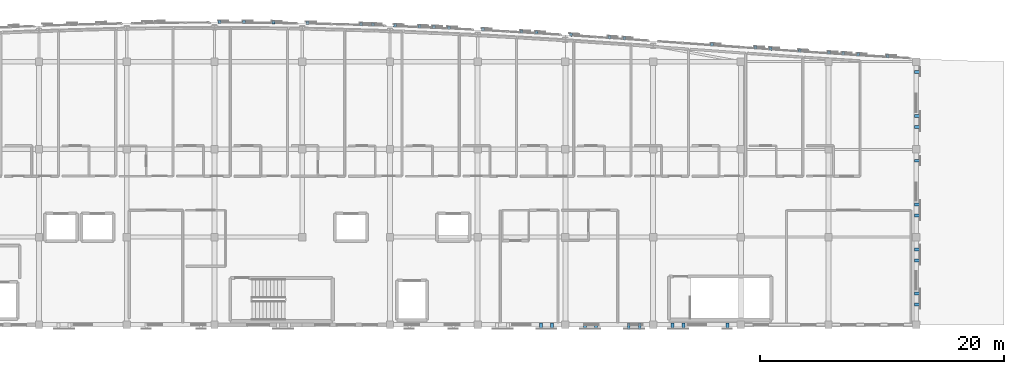
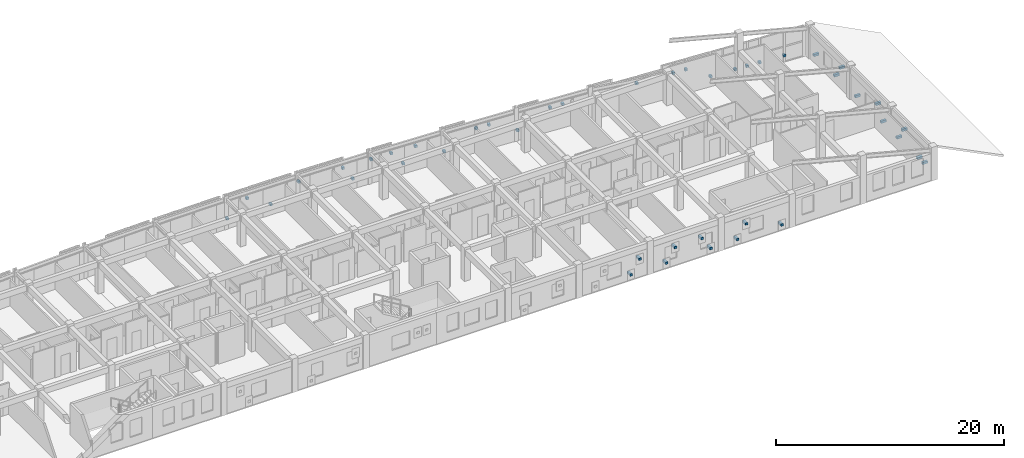
# One storey, part 43 of 45: 43 discrete accessories.
"""IFC4 building model written with IfcOpenShell, lengths in metres."""

from ifc_helpers import new_model, si_unit, direction, frame, origin, origin_2d, place, context, subcontext, project, spatial, rectangle, extrude, material, type_object, element, save


model = new_model("IFC4")

# Units and contexts
model_context = context("Model", 3, precision=1e-05, world=origin(), true_north=direction((0.0, 1.0)))
body_context = subcontext(model_context, "Body", "Model", "MODEL_VIEW")
ifc_project = project(units=[si_unit("LENGTHUNIT", "METRE"), si_unit("AREAUNIT", "SQUARE_METRE"), si_unit("VOLUMEUNIT", "CUBIC_METRE"), si_unit("PLANEANGLEUNIT", "RADIAN"), si_unit("MASSUNIT", "GRAM", prefix="KILO")], contexts=[model_context])

# Site, building, storey
site_placement = place(None, origin())
site = spatial("IfcSite", under=ifc_project, at=site_placement, CompositionType="ELEMENT")
building_placement = place(site_placement, origin())
building = spatial("IfcBuilding", under=site, at=building_placement, Name="Carrowvane Square Congress Hotel", CompositionType="ELEMENT")
storey_placement = place(building_placement, frame((0.0, 0.0, 33.60009765625)))
storey = spatial("IfcBuildingStorey", under=building, at=storey_placement, Name="L08", CompositionType="ELEMENT", Elevation=33.60009765625)

# Discrete accessories
ifc_material = material(Name="Stainless steel 316", Category="steel")
discrete_accessory_type = type_object("IfcDiscreteAccessoryType", Name="ACC-BRK-SS", PredefinedType="BRACKET", material=ifc_material)
for number, where, z_axis, x_axis, name in (
    (1, (98.4150390625, 116.6787109375, 0.56005859375), (0.0, 0.0, 1.0), (0.999994654955, -0.003269565853, 0.0), "Pixel screen mullion bracket 788"),
    (2, (100.435791015625, 116.671875, 2.02978515625), (0.0, 0.0, 1.0), (0.999952150705, -0.009782448565, 0.0), "Pixel screen mullion bracket 789"),
    (3, (102.831298828125, 116.648193359375, 0.56005859375), (0.0, 0.0, 1.0), (0.999868508772, -0.016216200758, 0.0), "Pixel screen mullion bracket 790"),
    (4, (105.629150390625, 116.60009765625, 2.02978515625), (0.0, 0.0, 1.0), (0.999746418061, -0.022518871507, 0.0), "Pixel screen mullion bracket 791"),
    (5, (110.037841796875, 116.485595703125, 2.02978515625), (0.0, 0.0, 1.0), (0.999403768784, -0.034526901703, 0.0), "Pixel screen mullion bracket 792"),
    (6, (111.017578125, 116.451904296875, 0.56005859375), (0.0, 0.0, 1.0), (0.999403768784, -0.034526901703, 0.0), "Pixel screen mullion bracket 793"),
    (7, (112.83203125, 116.38671875, 2.02978515625), (0.0, 0.0, 1.0), (0.999194294234, -0.040134304148, 0.0), "Pixel screen mullion bracket 794"),
    (8, (114.838623046875, 116.305908203125, 2.02978515625), (0.0, 0.0, 1.0), (0.998968255262, -0.045413929349, 0.0), "Pixel screen mullion bracket 795"),
    (9, (116.003662109375, 116.2529296875, 0.56005859375), (0.0, 0.0, 1.0), (0.998968255262, -0.045413929349, 0.0), "Pixel screen mullion bracket 796"),
    (10, (117.23388671875, 116.197021484375, 2.02978515625), (0.0, 0.0, 1.0), (0.998733066647, -0.050321581706, 0.0), "Pixel screen mullion bracket 797"),
    (11, (120.043701171875, 116.05322265625, 0.56005859375), (0.0, 0.0, 1.0), (0.998496552462, -0.054814548441, 0.0), "Pixel screen mullion bracket 798"),
    (12, (123.204833984375, 115.875, 2.02978515625), (0.0, 0.0, 1.0), (0.998266695506, -0.05885239709, 0.0), "Pixel screen mullion bracket 799"),
    (13, (124.43994140625, 115.802001953125, 2.02978515625), (0.0, 0.0, 1.0), (0.998051413269, -0.062396926785, 0.0), "Pixel screen mullion bracket 800"),
    (14, (127.24365234375, 115.62548828125, 0.56005859375), (0.0, 0.0, 1.0), (0.99785825325, -0.065413350476, 0.0), "Pixel screen mullion bracket 801"),
    (15, (130.405517578125, 115.4150390625, 2.02978515625), (0.0, 0.0, 1.0), (0.9976944394, -0.067866085713, 0.0), "Pixel screen mullion bracket 802"),
    (16, (131.635498046875, 115.331298828125, 2.02978515625), (0.0, 0.0, 1.0), (0.997566258056, -0.069724893606, 0.0), "Pixel screen mullion bracket 803"),
    (17, (138.840576171875, 114.8203125, 2.02978515625), (0.0, 0.0, 1.0), (0.997446326449, -0.071420066188, 0.0), "Pixel screen mullion bracket 804"),
    (18, (142.40576171875, 114.566162109375, 2.02978515625), (0.0, 0.0, 1.0), (0.997505756275, -0.070585169822, 0.0), "Pixel screen mullion bracket 805"),
    (19, (143.640380859375, 114.478759765625, 2.02978515625), (0.0, 0.0, 1.0), (0.99761759323, -0.068986503591, 0.0), "Pixel screen mullion bracket 806"),
    (20, (146.03515625, 114.313232421875, 0.56005859375), (0.0, 0.0, 1.0), (0.997781458784, -0.066574473385, 0.0), "Pixel screen mullion bracket 807"),
    (21, (148.43994140625, 114.153076171875, 0.56005859375), (0.0, 0.0, 1.0), (0.997996022269, -0.063276690295, 0.0), "Pixel screen mullion bracket 808"),
    (22, (149.60498046875, 114.0791015625, 0.56005859375), (0.0, 0.0, 1.0), (0.997996022269, -0.063276690295, 0.0), "Pixel screen mullion bracket 809"),
    (23, (150.834716796875, 114.001220703125, 0.56005859375), (0.0, 0.0, 1.0), (0.998258866948, -0.05898503675, 0.0), "Pixel screen mullion bracket 810"),
    (24, (153.2392578125, 113.859375, 0.56005859375), (0.0, 0.0, 1.0), (0.998566941363, -0.053516947007, 0.0), "Pixel screen mullion bracket 811"),
):
    element("IfcDiscreteAccessory", number, at=place(storey_placement, frame(where, z_axis=z_axis, x_axis=x_axis)), inside=storey, type_object=discrete_accessory_type, Name=name, PredefinedType="BRACKET", context=body_context, shape_type="SweptSolid", body=[
        extrude(rectangle(XDim=0.239990234375, YDim=0.280029296875, at=origin_2d()), origin(), (0.0, 0.0, 1.0), 0.239990234375),
    ])
for number, where, z_axis, x_axis, name in (
    (25, (155.72509765625, 112.552734375, 0.56005859375), (0.0, 0.0, 1.0), (0.0, -1.0, 0.0), "V5 pixel screen bracket 812"),
    (26, (155.72509765625, 108.95263671875, 0.56005859375), (0.0, 0.0, 1.0), (0.0, -1.0, 0.0), "V5 pixel screen bracket 813"),
    (27, (155.72509765625, 108.052734375, 1.9248046875), (0.0, 0.0, 1.0), (0.0, -1.0, 0.0), "V5 pixel screen bracket 814"),
    (28, (155.72509765625, 105.2685546875, 0.56005859375), (0.0, 0.0, 1.0), (0.0, -1.0, 0.0), "V5 pixel screen bracket 815"),
    (29, (155.72509765625, 101.66845703125, 1.9248046875), (0.0, 0.0, 1.0), (0.0, -1.0, 0.0), "V5 pixel screen bracket 816"),
    (30, (155.72509765625, 100.7685546875, 0.56005859375), (0.0, 0.0, 1.0), (0.0, -1.0, 0.0), "V5 pixel screen bracket 817"),
    (31, (155.72509765625, 97.984130859375, 0.56005859375), (0.0, 0.0, 1.0), (0.0, -1.0, 0.0), "V5 pixel screen bracket 818"),
    (32, (155.72509765625, 97.084228515625, 1.9248046875), (0.0, 0.0, 1.0), (0.0, -1.0, 0.0), "V5 pixel screen bracket 819"),
    (33, (155.72509765625, 94.38427734375, 0.56005859375), (0.0, 0.0, 1.0), (0.0, -1.0, 0.0), "V5 pixel screen bracket 820"),
    (34, (155.72509765625, 93.484130859375, 0.56005859375), (0.0, 0.0, 1.0), (0.0, -1.0, 0.0), "V5 pixel screen bracket 821"),
    (35, (140.10009765625, 91.675048828125, 0.56005859375), (0.0, 0.0, 1.0), (-1.0, 0.0, 0.0), "V5 pixel screen bracket 822"),
    (36, (136.5, 91.675048828125, 1.9296875), (0.0, 0.0, 1.0), (-1.0, 0.0, 0.0), "V5 pixel screen bracket 823"),
    (37, (135.60009765625, 91.675048828125, 0.56005859375), (0.0, 0.0, 1.0), (-1.0, 0.0, 0.0), "V5 pixel screen bracket 824"),
    (38, (132.89990234375, 91.675048828125, 0.56005859375), (0.0, 0.0, 1.0), (-1.0, 0.0, 0.0), "V5 pixel screen bracket 825"),
    (39, (132.0, 91.675048828125, 1.9296875), (0.0, 0.0, 1.0), (-1.0, 0.0, 0.0), "V5 pixel screen bracket 826"),
    (40, (129.300048828125, 91.675048828125, 1.9296875), (0.0, 0.0, 1.0), (-1.0, 0.0, 0.0), "V5 pixel screen bracket 827"),
    (41, (128.39990234375, 91.675048828125, 0.56005859375), (0.0, 0.0, 1.0), (-1.0, 0.0, 0.0), "V5 pixel screen bracket 828"),
    (42, (125.699951171875, 91.675048828125, 1.9296875), (0.0, 0.0, 1.0), (-1.0, 0.0, 0.0), "V5 pixel screen bracket 829"),
    (43, (124.800048828125, 91.675048828125, 0.56005859375), (0.0, 0.0, 1.0), (-1.0, 0.0, 0.0), "V5 pixel screen bracket 830"),
):
    element("IfcDiscreteAccessory", number, at=place(storey_placement, frame(where, z_axis=z_axis, x_axis=x_axis)), inside=storey, type_object=discrete_accessory_type, Name=name, PredefinedType="BRACKET", context=body_context, shape_type="SweptSolid", body=[
        extrude(rectangle(XDim=0.239990234375, YDim=0.52001953125, at=origin_2d()), origin(), (0.0, 0.0, 1.0), 0.239990234375),
    ])

save(model, "model.ifc")
